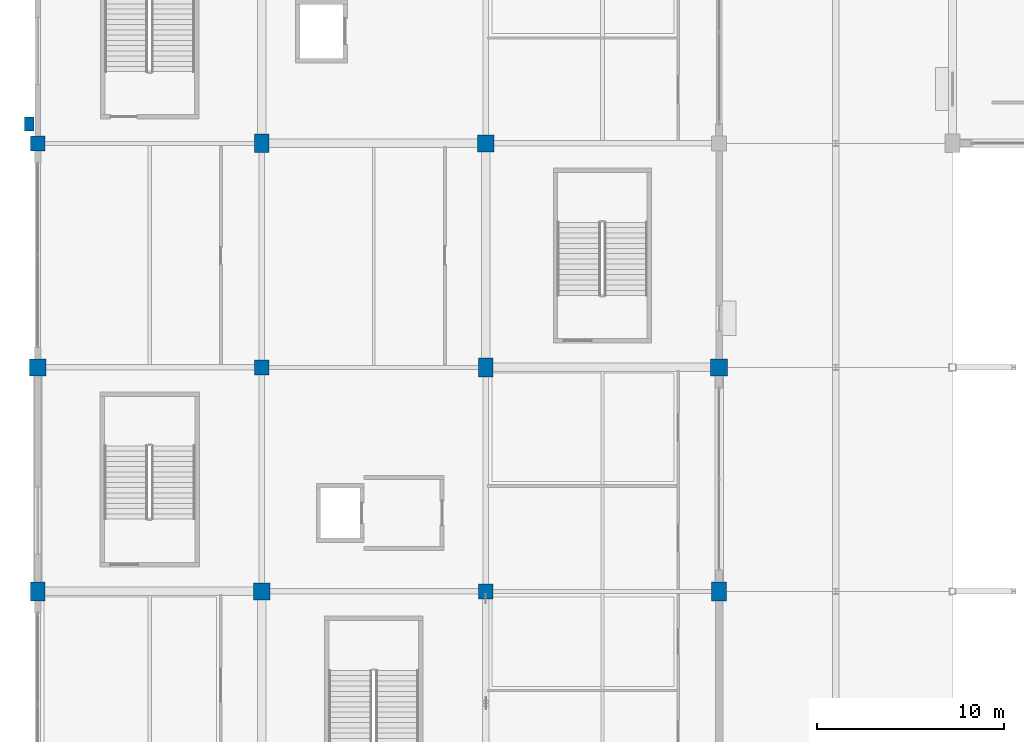
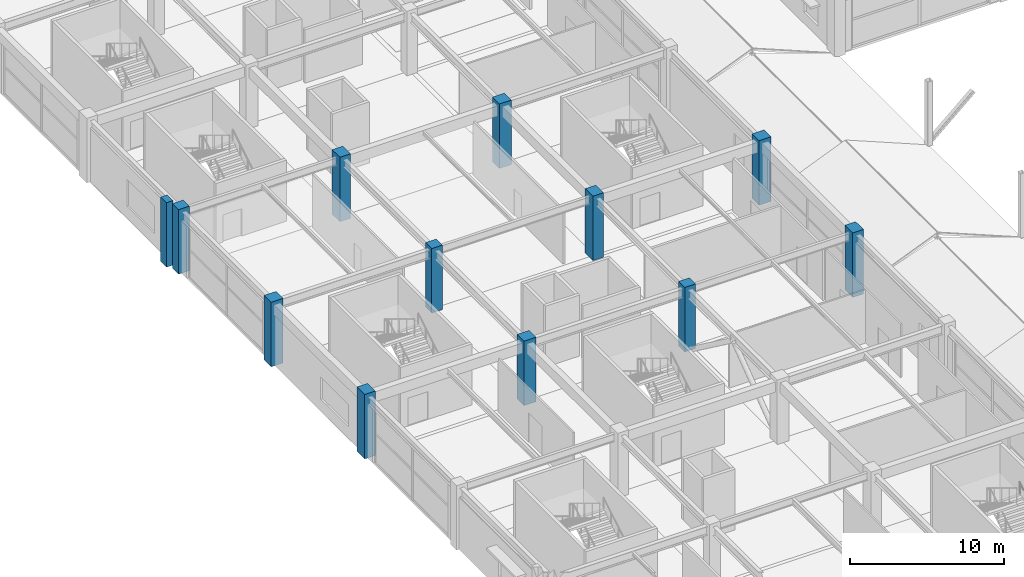
# One storey, part 5 of 116: 12 columns.
"""IFC4 building model written with IfcOpenShell, lengths in metres."""

import ifcopenshell
import ifcopenshell.guid

model = None  # the IFC model being written
_history = None  # IfcOwnerHistory: only IFC2X3 demands one
_inside = {}  # id of a spatial element -> (the spatial element, [elements in it])
_under = {}  # id of a project, library or spatial element -> (it, [spatial elements below it])
_declared = {}  # id of a project -> (the project, [libraries it declares])
_typed = {}  # id of a type object -> (the type object, [elements of that type])
_made_of = {}  # id of a material, layer set ... -> (it, [elements and type objects made of it])


def new_model(schema):
    """Start an empty IFC model of exactly this schema.

    Asked for "IFC4X3", IfcOpenShell would pick the latest addendum, in which some entities
    have other attributes; the version numbers below select the first issue.
    IFC2X3 requires an IfcOwnerHistory on every rooted entity: one is made here for all.
    """
    global model, _history
    if schema == "IFC4X3":
        model = ifcopenshell.file(schema_version=(4, 3, 0, 0))
    else:
        model = ifcopenshell.file(schema=schema)
    _inside.clear()
    _under.clear()
    _declared.clear()
    _typed.clear()
    _made_of.clear()
    _history = None
    if model.schema == "IFC2X3":
        org = make("IfcOrganization", Name="unknown")
        user = make(
            "IfcPersonAndOrganization",
            ThePerson=make("IfcPerson", FamilyName="unknown"),
            TheOrganization=org,
        )
        app = make(
            "IfcApplication",
            ApplicationDeveloper=org,
            Version="unknown",
            ApplicationFullName="unknown",
            ApplicationIdentifier="unknown",
        )
        _history = make(
            "IfcOwnerHistory",
            OwningUser=user,
            OwningApplication=app,
            ChangeAction="ADDED",
            CreationDate=0,
        )
    return model


def make(cls, **values):
    """One entity of the class cls with the attributes given. An attribute that is None is left unset."""
    return model.create_entity(
        cls, **{name: value for name, value in values.items() if value is not None}
    )


def rooted(cls, **values):
    """An entity with a GlobalId (a new one), such as an element, a storey or a relation."""
    return make(cls, GlobalId=ifcopenshell.guid.new(), OwnerHistory=_history, **values)


def si_unit(unit_type, name, prefix=None):
    """IfcSIUnit, for example si_unit("LENGTHUNIT", "METRE", prefix="MILLI")."""
    return make("IfcSIUnit", UnitType=unit_type, Prefix=prefix, Name=name)


def assignment(units):
    """IfcUnitAssignment: the units of a project."""
    return None if units is None else make("IfcUnitAssignment", Units=units)


def point(xyz):
    """IfcCartesianPoint."""
    return None if xyz is None else make("IfcCartesianPoint", Coordinates=xyz)


def direction(xyz):
    """IfcDirection."""
    return None if xyz is None else make("IfcDirection", DirectionRatios=xyz)


def frame(location, z_axis=None, x_axis=None):
    """IfcAxis2Placement3D, a coordinate frame: its origin and axes. An axis left out is left unset."""
    return make(
        "IfcAxis2Placement3D",
        Location=point(location),
        Axis=direction(z_axis),
        RefDirection=direction(x_axis),
    )


def frame_2d(location, x_axis=None):
    """IfcAxis2Placement2D, a coordinate frame in the plane: its origin and x axis."""
    return make(
        "IfcAxis2Placement2D", Location=point(location), RefDirection=direction(x_axis)
    )


def origin():
    """The frame at (0, 0, 0) with its axes left unset."""
    return frame((0.0, 0.0, 0.0))


def origin_2d():
    """The frame at (0, 0) in the plane with its x axis left unset."""
    return frame_2d((0.0, 0.0))


def place(relative_to, where):
    """IfcLocalPlacement: puts the frame where relative to a parent placement (None: the world)."""
    return make(
        "IfcLocalPlacement", PlacementRelTo=relative_to, RelativePlacement=where
    )


def context(
    kind, dimensions, precision=None, world=None, true_north=None, identifier=None
):
    """IfcGeometricRepresentationContext, for example the 3D "Model" context."""
    return make(
        "IfcGeometricRepresentationContext",
        ContextIdentifier=identifier,
        ContextType=kind,
        CoordinateSpaceDimension=dimensions,
        Precision=precision,
        WorldCoordinateSystem=world,
        TrueNorth=true_north,
    )


def subcontext(parent, identifier, kind, view, scale=None):
    """IfcGeometricRepresentationSubContext, for example "Body" below "Model"."""
    return make(
        "IfcGeometricRepresentationSubContext",
        ContextIdentifier=identifier,
        ContextType=kind,
        ParentContext=parent,
        TargetScale=scale,
        TargetView=view,
    )


def project(units=None, contexts=None):
    """IfcProject with its units and contexts."""
    return rooted(
        "IfcProject",
        Name="project",
        RepresentationContexts=contexts,
        UnitsInContext=assignment(units),
    )


def spatial(cls, under=None, at=None, **own):
    """A site, building, storey or space (cls), placed at a placement, below another one or the project."""
    s = rooted(cls, ObjectPlacement=at, **own)
    if under is not None:
        _under.setdefault(under.id(), (under, []))[1].append(s)
    return s


def profile(cls, at=None, kind="AREA", **sizes):
    """A parametric profile (cls). Its sizes go by their IFC names, for example OverallWidth=200.0."""
    return make(cls, ProfileType=kind, Position=at, **sizes)


def rectangle(**sizes):
    """IfcRectangleProfileDef."""
    return profile("IfcRectangleProfileDef", **sizes)


def extrude(swept, where, along, depth):
    """IfcExtrudedAreaSolid: the profile swept, set in the frame where, extruded along a direction by depth."""
    return make(
        "IfcExtrudedAreaSolid",
        SweptArea=swept,
        Position=where,
        ExtrudedDirection=direction(along),
        Depth=depth,
    )


def shape(context_of_items, identifier, shape_type, items):
    """IfcShapeRepresentation: the items that make up one representation, for example the "Body"."""
    return make(
        "IfcShapeRepresentation",
        ContextOfItems=context_of_items,
        RepresentationIdentifier=identifier,
        RepresentationType=shape_type,
        Items=items,
    )


def material(Name=None, Category=None):
    """IfcMaterial."""
    return make("IfcMaterial", Name=Name, Category=Category)


def material_profile(
    of_material, cross_section, Name=None, Category=None, Priority=None
):
    """IfcMaterialProfile: a cross section and its material."""
    return make(
        "IfcMaterialProfile",
        Name=Name,
        Material=of_material,
        Profile=cross_section,
        Priority=Priority,
        Category=Category,
    )


def profile_set(profiles, Name=None, composite=None):
    """IfcMaterialProfileSet."""
    return make(
        "IfcMaterialProfileSet",
        Name=Name,
        MaterialProfiles=profiles,
        CompositeProfile=composite,
    )


def made_of(thing, what):
    """Note that an element or type object is made of a material, layer set ...; save() writes the relation."""
    if what is not None:
        _made_of.setdefault(what.id(), (what, []))[1].append(thing)
    return thing


def type_object(cls, material=None, **own):
    """A type object (cls), such as IfcWallType, which elements share."""
    return made_of(rooted(cls, **own), material)


def element(
    cls,
    number,
    at=None,
    inside=None,
    cuts=None,
    type_object=None,
    material=None,
    context=None,
    identifier="Body",
    shape_type=None,
    held_by="IfcProductDefinitionShape",
    body=None,
    shapes=None,
    **own,
):
    """One element of the class cls, such as IfcWall. Its Tag is "e" and its number.

    at: its placement. inside: the storey or other place that contains it. cuts: it is an
    opening in that element (IfcRelVoidsElement). A single representation is given by context,
    identifier, shape_type and body (its items); several are given by shapes. held_by: the class
    of the entity that holds the representations. save() writes the other relations.
    """
    e = rooted(cls, Tag="e%d" % number, ObjectPlacement=at, **own)
    if body is not None:
        shapes = [shape(context, identifier, shape_type, body)]
    if shapes is not None:
        e.Representation = make(held_by, Representations=shapes)
    if inside is not None:
        _inside.setdefault(inside.id(), (inside, []))[1].append(e)
    if cuts is not None:
        rooted(
            "IfcRelVoidsElement", RelatingBuildingElement=cuts, RelatedOpeningElement=e
        )
    if type_object is not None:
        _typed.setdefault(type_object.id(), (type_object, []))[1].append(e)
    return made_of(e, material)


def aggregate(whole, parts):
    """IfcRelAggregates: a whole, such as a stair, and the parts it consists of."""
    return rooted("IfcRelAggregates", RelatingObject=whole, RelatedObjects=parts)


def save(model, path):
    """Write the relations noted so far, then the file.

    IfcRelAggregates (storeys below a building ...), IfcRelContainedInSpatialStructure (elements
    in a storey), IfcRelDefinesByType, IfcRelAssociatesMaterial and IfcRelDeclares: one each for
    every whole, place, type object, material and project.
    """
    for whole, parts in _under.values():
        aggregate(whole, parts)
    for where, things in _inside.values():
        rooted(
            "IfcRelContainedInSpatialStructure",
            RelatedElements=things,
            RelatingStructure=where,
        )
    for kind, things in _typed.values():
        rooted("IfcRelDefinesByType", RelatedObjects=things, RelatingType=kind)
    for what, things in _made_of.values():
        rooted("IfcRelAssociatesMaterial", RelatedObjects=things, RelatingMaterial=what)
    for by, libraries in _declared.values():
        rooted("IfcRelDeclares", RelatingContext=by, RelatedDefinitions=libraries)
    model.write(path)


model = new_model("IFC4")

# Units and contexts
model_context = context("Model", 3, precision=1e-05, world=origin(), true_north=direction((0.0, 1.0)))
body_context = subcontext(model_context, "Body", "Model", "MODEL_VIEW")
ifc_project = project(units=[si_unit("LENGTHUNIT", "METRE"), si_unit("AREAUNIT", "SQUARE_METRE"), si_unit("VOLUMEUNIT", "CUBIC_METRE"), si_unit("PLANEANGLEUNIT", "RADIAN"), si_unit("MASSUNIT", "GRAM", prefix="KILO")], contexts=[model_context])

# Site, building, storey
site_placement = place(None, origin())
site = spatial("IfcSite", under=ifc_project, at=site_placement, CompositionType="ELEMENT")
building_placement = place(site_placement, origin())
building = spatial("IfcBuilding", under=site, at=building_placement, Name="Kazenohara Klinker Stadium", CompositionType="ELEMENT")
storey_placement = place(building_placement, frame((0.0, 0.0, 10.199951171875)))
storey = spatial("IfcBuildingStorey", under=building, at=storey_placement, Name="L02", CompositionType="ELEMENT", Elevation=10.199951171875)

# Columns
ifc_material = material(Name="Concrete C40/50", Category="concrete")
ifc_material_profile_1 = material_profile(ifc_material, rectangle(XDim=0.800048828125, YDim=1.0, at=origin_2d()), Name="RC-COL-1000x800")
ifc_profile_set_1 = profile_set([ifc_material_profile_1], Name="Concrete C40/50")
column_type_1 = type_object("IfcColumnType", Name="COL-RC03", PredefinedType="COLUMN", material=ifc_profile_set_1)
for number, where, z_axis, x_axis, name in (
    (1, (0.0, 108.0, 0.0), (0.0, 0.0, 1.0), (1.0, 0.0, 0.0), "Column C03 L02 1/K"),
    (2, (12.0, 132.0, 0.0), (0.0, 0.0, 1.0), (1.0, 0.0, 0.0), "Column C03 L02 2/M"),
    (3, (24.0, 120.0, 0.0), (0.0, 0.0, 1.0), (1.0, 0.0, 0.0), "Column C03 L02 3/L"),
    (4, (36.5, 108.0, 0.0), (0.0, 0.0, 1.0), (1.0, 0.0, 0.0), "Column C03 L02 4/K"),
):
    element("IfcColumn", number, at=place(storey_placement, frame(where, z_axis=z_axis, x_axis=x_axis)), inside=storey, type_object=column_type_1, Name=name, PredefinedType="COLUMN", context=body_context, shape_type="SweptSolid", body=[
        extrude(rectangle(XDim=0.800048828125, YDim=1.0, at=origin_2d()), origin(), (0.0, 0.0, 1.0), 5.10009765625),
    ])
ifc_material_profile_2 = material_profile(ifc_material, rectangle(XDim=0.89990234375, YDim=0.89990234375, at=origin_2d()), Name="RC-COL-900x900")
ifc_profile_set_2 = profile_set([ifc_material_profile_2], Name="Concrete C40/50")
column_type_2 = type_object("IfcColumnType", Name="COL-RC04", PredefinedType="COLUMN", material=ifc_profile_set_2)
for number, where, z_axis, x_axis, name in (
    (5, (0.0, 120.0, 0.0), (0.0, 0.0, 1.0), (1.0, 0.0, 0.0), "Column C04 L02 1/L"),
    (6, (12.0, 108.0, 0.0), (0.0, 0.0, 1.0), (1.0, 0.0, 0.0), "Column C04 L02 2/K"),
    (7, (24.0, 132.0, 0.0), (0.0, 0.0, 1.0), (1.0, 0.0, 0.0), "Column C04 L02 3/M"),
    (8, (36.5, 120.0, 0.0), (0.0, 0.0, 1.0), (1.0, 0.0, 0.0), "Column C04 L02 4/L"),
):
    element("IfcColumn", number, at=place(storey_placement, frame(where, z_axis=z_axis, x_axis=x_axis)), inside=storey, type_object=column_type_2, Name=name, PredefinedType="COLUMN", context=body_context, shape_type="SweptSolid", body=[
        extrude(rectangle(XDim=0.89990234375, YDim=0.89990234375, at=origin_2d()), origin(), (0.0, 0.0, 1.0), 5.10009765625),
    ])
ifc_material_profile_3 = material_profile(ifc_material, rectangle(XDim=0.800048828125, YDim=0.800048828125, at=origin_2d()), Name="RC-COL-800x800")
ifc_profile_set_3 = profile_set([ifc_material_profile_3], Name="Concrete C40/50")
column_type_3 = type_object("IfcColumnType", Name="COL-RC05", PredefinedType="COLUMN", material=ifc_profile_set_3)
for number, where, z_axis, x_axis, name in (
    (9, (0.0, 132.0, 0.0), (0.0, 0.0, 1.0), (1.0, 0.0, 0.0), "Column C05 L02 1/M"),
    (10, (12.0, 120.0, 0.0), (0.0, 0.0, 1.0), (1.0, 0.0, 0.0), "Column C05 L02 2/L"),
    (11, (24.0, 108.0, 0.0), (0.0, 0.0, 1.0), (1.0, 0.0, 0.0), "Column C05 L02 3/K"),
):
    element("IfcColumn", number, at=place(storey_placement, frame(where, z_axis=z_axis, x_axis=x_axis)), inside=storey, type_object=column_type_3, Name=name, PredefinedType="COLUMN", context=body_context, shape_type="SweptSolid", body=[
        extrude(rectangle(XDim=0.800048828125, YDim=0.800048828125, at=origin_2d()), origin(), (0.0, 0.0, 1.0), 5.10009765625),
    ])
ifc_material_profile_4 = material_profile(ifc_material, rectangle(XDim=0.5, YDim=0.75, at=origin_2d()), Name="RC-PILASTER-500x750")
ifc_profile_set_4 = profile_set([ifc_material_profile_4], Name="Concrete C40/50")
column_type_4 = type_object("IfcColumnType", Name="PIL-RC02", PredefinedType="PILASTER", material=ifc_profile_set_4)
column_placement = place(storey_placement, frame((-0.449951171875, 133.050048828125, 0.0), z_axis=(0.0, 0.0, 1.0), x_axis=(1.0, 0.0, 0.0)))
element("IfcColumn", 12, at=column_placement, inside=storey, type_object=column_type_4, Name="Pleated facade pilaster PL02 L02 West-11", PredefinedType="PILASTER", context=body_context, shape_type="SweptSolid", body=[
    extrude(rectangle(XDim=0.5, YDim=0.75, at=origin_2d()), origin(), (0.0, 0.0, 1.0), 5.10009765625),
])

save(model, "model.ifc")
